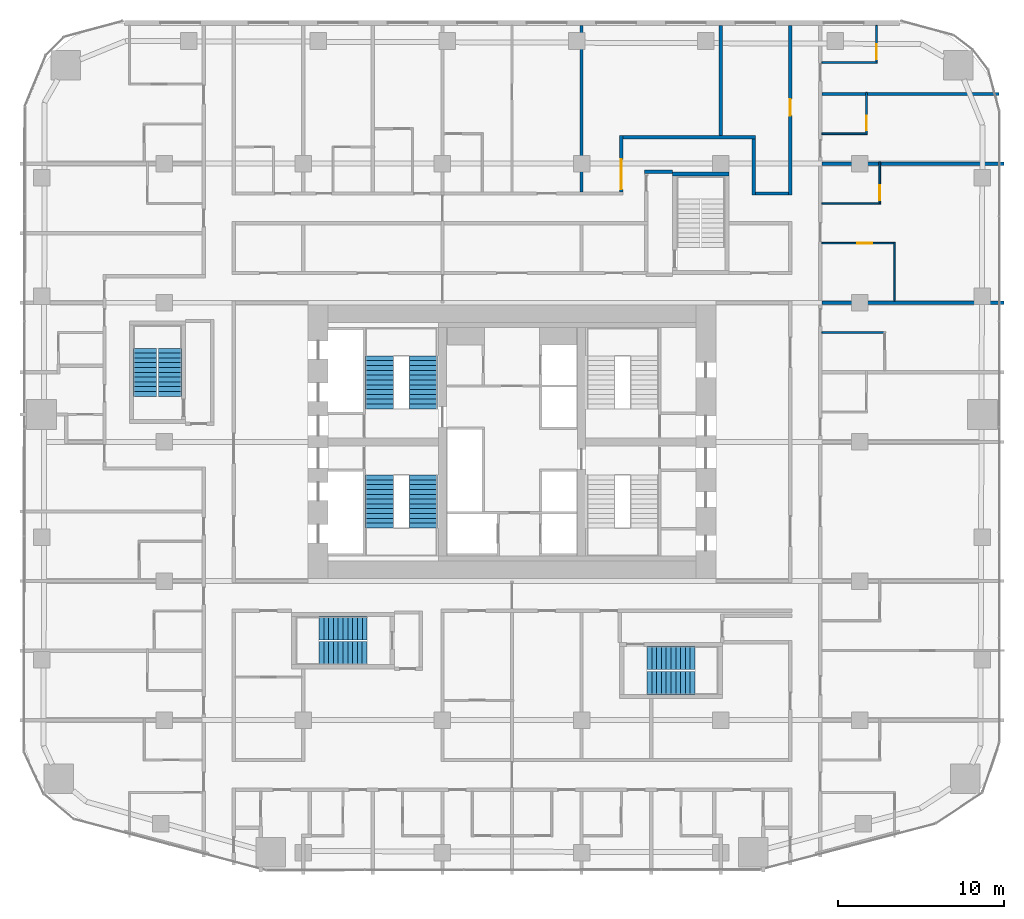
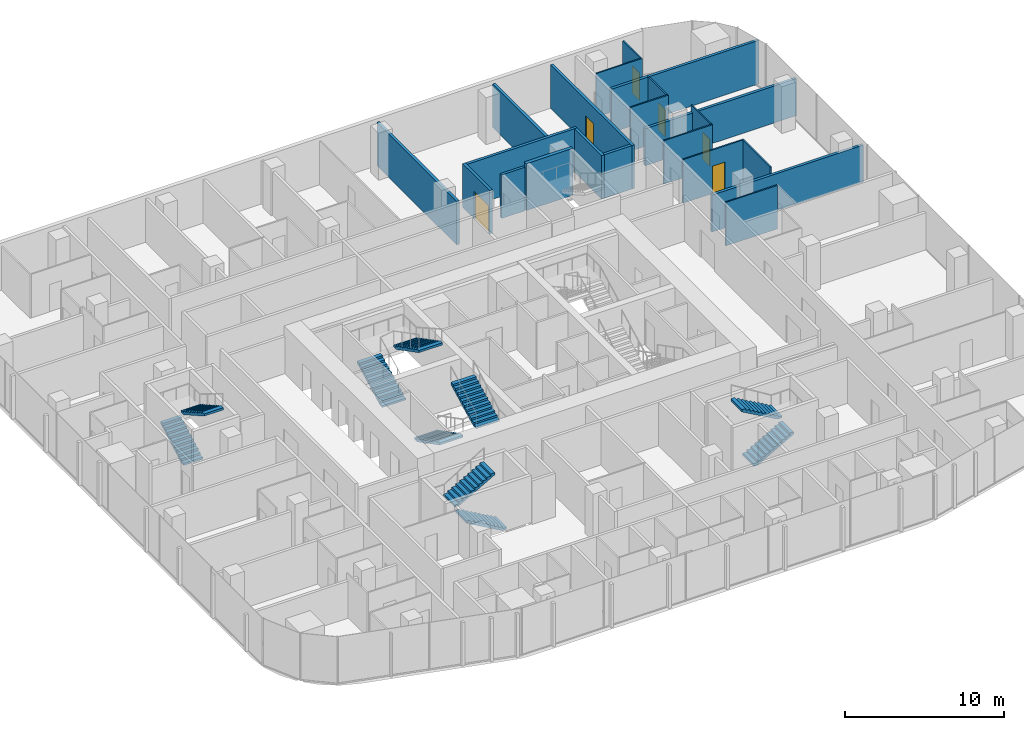
# One storey, part 23 of 26: 21 walls, 10 stair flights, 6 doors, 6 openings, 5 elements without a shape of their own.
"""IFC4 building model written with IfcOpenShell, lengths in metres."""

import ifcopenshell
import ifcopenshell.guid

model = None  # the IFC model being written
_history = None  # IfcOwnerHistory: only IFC2X3 demands one
_inside = {}  # id of a spatial element -> (the spatial element, [elements in it])
_under = {}  # id of a project, library or spatial element -> (it, [spatial elements below it])
_declared = {}  # id of a project -> (the project, [libraries it declares])
_typed = {}  # id of a type object -> (the type object, [elements of that type])
_made_of = {}  # id of a material, layer set ... -> (it, [elements and type objects made of it])


def new_model(schema):
    """Start an empty IFC model of exactly this schema.

    Asked for "IFC4X3", IfcOpenShell would pick the latest addendum, in which some entities
    have other attributes; the version numbers below select the first issue.
    IFC2X3 requires an IfcOwnerHistory on every rooted entity: one is made here for all.
    """
    global model, _history
    if schema == "IFC4X3":
        model = ifcopenshell.file(schema_version=(4, 3, 0, 0))
    else:
        model = ifcopenshell.file(schema=schema)
    _inside.clear()
    _under.clear()
    _declared.clear()
    _typed.clear()
    _made_of.clear()
    _history = None
    if model.schema == "IFC2X3":
        org = make("IfcOrganization", Name="unknown")
        user = make(
            "IfcPersonAndOrganization",
            ThePerson=make("IfcPerson", FamilyName="unknown"),
            TheOrganization=org,
        )
        app = make(
            "IfcApplication",
            ApplicationDeveloper=org,
            Version="unknown",
            ApplicationFullName="unknown",
            ApplicationIdentifier="unknown",
        )
        _history = make(
            "IfcOwnerHistory",
            OwningUser=user,
            OwningApplication=app,
            ChangeAction="ADDED",
            CreationDate=0,
        )
    return model


def make(cls, **values):
    """One entity of the class cls with the attributes given. An attribute that is None is left unset."""
    return model.create_entity(
        cls, **{name: value for name, value in values.items() if value is not None}
    )


def rooted(cls, **values):
    """An entity with a GlobalId (a new one), such as an element, a storey or a relation."""
    return make(cls, GlobalId=ifcopenshell.guid.new(), OwnerHistory=_history, **values)


def si_unit(unit_type, name, prefix=None):
    """IfcSIUnit, for example si_unit("LENGTHUNIT", "METRE", prefix="MILLI")."""
    return make("IfcSIUnit", UnitType=unit_type, Prefix=prefix, Name=name)


def assignment(units):
    """IfcUnitAssignment: the units of a project."""
    return None if units is None else make("IfcUnitAssignment", Units=units)


def point(xyz):
    """IfcCartesianPoint."""
    return None if xyz is None else make("IfcCartesianPoint", Coordinates=xyz)


def direction(xyz):
    """IfcDirection."""
    return None if xyz is None else make("IfcDirection", DirectionRatios=xyz)


def frame(location, z_axis=None, x_axis=None):
    """IfcAxis2Placement3D, a coordinate frame: its origin and axes. An axis left out is left unset."""
    return make(
        "IfcAxis2Placement3D",
        Location=point(location),
        Axis=direction(z_axis),
        RefDirection=direction(x_axis),
    )


def frame_2d(location, x_axis=None):
    """IfcAxis2Placement2D, a coordinate frame in the plane: its origin and x axis."""
    return make(
        "IfcAxis2Placement2D", Location=point(location), RefDirection=direction(x_axis)
    )


def origin():
    """The frame at (0, 0, 0) with its axes left unset."""
    return frame((0.0, 0.0, 0.0))


def place(relative_to, where):
    """IfcLocalPlacement: puts the frame where relative to a parent placement (None: the world)."""
    return make(
        "IfcLocalPlacement", PlacementRelTo=relative_to, RelativePlacement=where
    )


def context(
    kind, dimensions, precision=None, world=None, true_north=None, identifier=None
):
    """IfcGeometricRepresentationContext, for example the 3D "Model" context."""
    return make(
        "IfcGeometricRepresentationContext",
        ContextIdentifier=identifier,
        ContextType=kind,
        CoordinateSpaceDimension=dimensions,
        Precision=precision,
        WorldCoordinateSystem=world,
        TrueNorth=true_north,
    )


def subcontext(parent, identifier, kind, view, scale=None):
    """IfcGeometricRepresentationSubContext, for example "Body" below "Model"."""
    return make(
        "IfcGeometricRepresentationSubContext",
        ContextIdentifier=identifier,
        ContextType=kind,
        ParentContext=parent,
        TargetScale=scale,
        TargetView=view,
    )


def project(units=None, contexts=None):
    """IfcProject with its units and contexts."""
    return rooted(
        "IfcProject",
        Name="project",
        RepresentationContexts=contexts,
        UnitsInContext=assignment(units),
    )


def spatial(cls, under=None, at=None, **own):
    """A site, building, storey or space (cls), placed at a placement, below another one or the project."""
    s = rooted(cls, ObjectPlacement=at, **own)
    if under is not None:
        _under.setdefault(under.id(), (under, []))[1].append(s)
    return s


def polyline(points):
    """IfcPolyline through the points."""
    return make("IfcPolyline", Points=[point(p) for p in points])


def profile(cls, at=None, kind="AREA", **sizes):
    """A parametric profile (cls). Its sizes go by their IFC names, for example OverallWidth=200.0."""
    return make(cls, ProfileType=kind, Position=at, **sizes)


def rectangle(**sizes):
    """IfcRectangleProfileDef."""
    return profile("IfcRectangleProfileDef", **sizes)


def outline(outer, holes=None, kind="AREA"):
    """IfcArbitraryClosedProfileDef: a profile drawn as a closed curve; with holes, ...WithVoids."""
    if holes is None:
        return make("IfcArbitraryClosedProfileDef", ProfileType=kind, OuterCurve=outer)
    return make(
        "IfcArbitraryProfileDefWithVoids",
        ProfileType=kind,
        OuterCurve=outer,
        InnerCurves=holes,
    )


def extrude(swept, where, along, depth):
    """IfcExtrudedAreaSolid: the profile swept, set in the frame where, extruded along a direction by depth."""
    return make(
        "IfcExtrudedAreaSolid",
        SweptArea=swept,
        Position=where,
        ExtrudedDirection=direction(along),
        Depth=depth,
    )


def shape(context_of_items, identifier, shape_type, items):
    """IfcShapeRepresentation: the items that make up one representation, for example the "Body"."""
    return make(
        "IfcShapeRepresentation",
        ContextOfItems=context_of_items,
        RepresentationIdentifier=identifier,
        RepresentationType=shape_type,
        Items=items,
    )


def material(Name=None, Category=None):
    """IfcMaterial."""
    return make("IfcMaterial", Name=Name, Category=Category)


def layer(
    of_material, thickness, ventilated=None, Name=None, Category=None, Priority=None
):
    """IfcMaterialLayer: one layer of a wall or slab, of a material (None: an air gap)."""
    return make(
        "IfcMaterialLayer",
        Material=of_material,
        LayerThickness=thickness,
        IsVentilated=ventilated,
        Name=Name,
        Category=Category,
        Priority=Priority,
    )


def layer_set(layers, Name=None):
    """IfcMaterialLayerSet."""
    return make("IfcMaterialLayerSet", MaterialLayers=layers, LayerSetName=Name)


def made_of(thing, what):
    """Note that an element or type object is made of a material, layer set ...; save() writes the relation."""
    if what is not None:
        _made_of.setdefault(what.id(), (what, []))[1].append(thing)
    return thing


def type_object(cls, material=None, **own):
    """A type object (cls), such as IfcWallType, which elements share."""
    return made_of(rooted(cls, **own), material)


def element(
    cls,
    number,
    at=None,
    inside=None,
    cuts=None,
    type_object=None,
    material=None,
    context=None,
    identifier="Body",
    shape_type=None,
    held_by="IfcProductDefinitionShape",
    body=None,
    shapes=None,
    **own,
):
    """One element of the class cls, such as IfcWall. Its Tag is "e" and its number.

    at: its placement. inside: the storey or other place that contains it. cuts: it is an
    opening in that element (IfcRelVoidsElement). A single representation is given by context,
    identifier, shape_type and body (its items); several are given by shapes. held_by: the class
    of the entity that holds the representations. save() writes the other relations.
    """
    e = rooted(cls, Tag="e%d" % number, ObjectPlacement=at, **own)
    if body is not None:
        shapes = [shape(context, identifier, shape_type, body)]
    if shapes is not None:
        e.Representation = make(held_by, Representations=shapes)
    if inside is not None:
        _inside.setdefault(inside.id(), (inside, []))[1].append(e)
    if cuts is not None:
        rooted(
            "IfcRelVoidsElement", RelatingBuildingElement=cuts, RelatedOpeningElement=e
        )
    if type_object is not None:
        _typed.setdefault(type_object.id(), (type_object, []))[1].append(e)
    return made_of(e, material)


def fill(opening, filler):
    """IfcRelFillsElement: the door or window that sits in an opening."""
    return rooted(
        "IfcRelFillsElement",
        RelatingOpeningElement=opening,
        RelatedBuildingElement=filler,
    )


def aggregate(whole, parts):
    """IfcRelAggregates: a whole, such as a stair, and the parts it consists of."""
    return rooted("IfcRelAggregates", RelatingObject=whole, RelatedObjects=parts)


def save(model, path):
    """Write the relations noted so far, then the file.

    IfcRelAggregates (storeys below a building ...), IfcRelContainedInSpatialStructure (elements
    in a storey), IfcRelDefinesByType, IfcRelAssociatesMaterial and IfcRelDeclares: one each for
    every whole, place, type object, material and project.
    """
    for whole, parts in _under.values():
        aggregate(whole, parts)
    for where, things in _inside.values():
        rooted(
            "IfcRelContainedInSpatialStructure",
            RelatedElements=things,
            RelatingStructure=where,
        )
    for kind, things in _typed.values():
        rooted("IfcRelDefinesByType", RelatedObjects=things, RelatingType=kind)
    for what, things in _made_of.values():
        rooted("IfcRelAssociatesMaterial", RelatedObjects=things, RelatingMaterial=what)
    for by, libraries in _declared.values():
        rooted("IfcRelDeclares", RelatingContext=by, RelatedDefinitions=libraries)
    model.write(path)


model = new_model("IFC4")

# Units and contexts
model_context = context("Model", 3, precision=1e-05, world=origin(), true_north=direction((0.0, 1.0)))
body_context = subcontext(model_context, "Body", "Model", "MODEL_VIEW")
ifc_project = project(units=[si_unit("LENGTHUNIT", "METRE"), si_unit("AREAUNIT", "SQUARE_METRE"), si_unit("VOLUMEUNIT", "CUBIC_METRE"), si_unit("PLANEANGLEUNIT", "RADIAN"), si_unit("MASSUNIT", "GRAM", prefix="KILO")], contexts=[model_context])

# Site, building, storey
site_placement = place(None, origin())
site = spatial("IfcSite", under=ifc_project, at=site_placement, CompositionType="ELEMENT")
building_placement = place(site_placement, origin())
building = spatial("IfcBuilding", under=site, at=building_placement, Name="Marenta Gate Hotel Tower", CompositionType="ELEMENT")
storey_placement = place(building_placement, frame((0.0, 0.0, 43.699951171875)))
storey = spatial("IfcBuildingStorey", under=building, at=storey_placement, Name="L08", CompositionType="ELEMENT", Elevation=43.699951171875)

# Wall
ifc_material_1 = material(Name="Concrete C40", Category="concrete")
ifc_layer_1 = layer(ifc_material_1, 0.25)
ifc_layer_set_1 = layer_set([ifc_layer_1], Name="Concrete C40")
wall_type_1 = type_object("IfcWallType", Name="Remote stair enclosure wall 250 REI 180", PredefinedType="SHEAR", material=ifc_layer_set_1)
wall_1_placement = place(storey_placement, frame((9.699951171875, 24.574951171875, 0.10009765625), z_axis=(0.0, 0.0, 1.0), x_axis=(1.0, 0.0, 0.0)))
element("IfcWall", 1, at=wall_1_placement, inside=storey, type_object=wall_type_1, Name="L08-RS-Z1-4-W2", PredefinedType="SHEAR", context=body_context, shape_type="SweptSolid", body=[
    extrude(rectangle(XDim=3.400146484375, YDim=0.25, at=frame_2d((1.7001953125, 0.0))), origin(), (0.0, 0.0, 1.0), 3.599853515625),
])

# Wall, opening, door
ifc_material_2 = material(Name="Gypsum board on steel stud", Category="steel")
ifc_layer_2 = layer(ifc_material_2, 0.199951171875)
ifc_layer_set_2 = layer_set([ifc_layer_2], Name="Gypsum board on steel stud")
wall_type_2 = type_object("IfcWallType", Name="Room corridor wall 200 EI 60", PredefinedType="PARTITIONING", material=ifc_layer_set_2)
wall_2_placement = place(storey_placement, frame((16.800048828125, 23.300048828125, 0.0), z_axis=(0.0, 0.0, 1.0), x_axis=(0.0, 1.0, 0.0)))
wall_2 = element("IfcWall", 2, at=wall_2_placement, inside=storey, type_object=wall_type_2, Name="L08-PTN-W016", PredefinedType="PARTITIONING", context=body_context, shape_type="SweptSolid", body=[
    extrude(rectangle(XDim=10.239990234375, YDim=0.199951171875, at=frame_2d((5.1201171875, 0.0))), origin(), (0.0, 0.0, 1.0), 3.340087890625),
])
opening_1_placement = place(wall_2_placement, frame((4.800048828125, 0.0, 0.0)))
opening_1 = element("IfcOpeningElement", 3, at=opening_1_placement, cuts=wall_2, Name="Opening G02-73", PredefinedType="OPENING", context=body_context, shape_type="SweptSolid", body=[
    extrude(rectangle(XDim=1.0, YDim=2.10009765625, at=frame_2d((0.5, 1.050048828125))), frame((0.0, 0.10009765625, 0.0), z_axis=(0.0, -1.0, 0.0), x_axis=(1.0, 0.0, 0.0)), (0.0, 0.0, 1.0), 0.199951171875),
])
ifc_material_3 = material(Name="Timber door leaf", Category="wood")
door_type_1 = type_object("IfcDoorType", Name="Room amenity door 1000x2100 EI 30", OperationType="NOTDEFINED", PredefinedType="DOOR", material=ifc_material_3)
door_1_placement = place(opening_1_placement, origin())
door_1 = element("IfcDoor", 4, at=door_1_placement, inside=storey, type_object=door_type_1, Name="L08-PD-D073", OperationType="SINGLE_SWING_LEFT", OverallHeight=2.10009765625, OverallWidth=1.0, PredefinedType="DOOR", context=body_context, shape_type="SweptSolid", body=[
    extrude(rectangle(XDim=1.0, YDim=2.10009765625, at=frame_2d((0.5, 1.050048828125))), frame((0.0, 0.02490234375, 0.0), z_axis=(0.0, -1.0, 0.0), x_axis=(1.0, 0.0, 0.0)), (0.0, 0.0, 1.0), 0.050048828125),
])
fill(opening_1, door_1)

# Wall
wall_3_placement = place(storey_placement, frame((14.60009765625, 23.300048828125, 0.0), z_axis=(0.0, 0.0, 1.0), x_axis=(0.0, 1.0, 0.0)))
element("IfcWall", 5, at=wall_3_placement, inside=storey, type_object=wall_type_2, Name="L08-PTN-W028", PredefinedType="PARTITIONING", context=body_context, shape_type="SweptSolid", body=[
    extrude(rectangle(XDim=3.39990234375, YDim=0.199951171875, at=frame_2d((1.699951171875, 0.0))), origin(), (0.0, 0.0, 1.0), 3.340087890625),
])

# Wall, opening, door
wall_4_placement = place(storey_placement, frame((6.60009765625, 23.5, 0.0), z_axis=(0.0, 0.0, 1.0), x_axis=(0.0, 1.0, 0.0)))
wall_4 = element("IfcWall", 6, at=wall_4_placement, inside=storey, type_object=wall_type_2, Name="L08-PTN-W049", PredefinedType="PARTITIONING", context=body_context, shape_type="SweptSolid", body=[
    extrude(rectangle(XDim=3.39990234375, YDim=0.199951171875, at=frame_2d((1.699951171875, 0.0))), origin(), (0.0, 0.0, 1.0), 3.340087890625),
])
opening_2_placement = place(wall_4_placement, frame((0.14990234375, 0.0, 0.0)))
opening_2 = element("IfcOpeningElement", 7, at=opening_2_placement, cuts=wall_4, Name="Opening G02-39", PredefinedType="OPENING", context=body_context, shape_type="SweptSolid", body=[
    extrude(rectangle(XDim=1.800048828125, YDim=2.10009765625, at=frame_2d((0.89990234375, 1.050048828125))), frame((0.0, 0.10009765625, 0.0), z_axis=(0.0, -1.0, 0.0), x_axis=(1.0, 0.0, 0.0)), (0.0, 0.0, 1.0), 0.199951171875),
])
ifc_material_4 = material(Name="Timber door leaf", Category="wood")
door_type_2 = type_object("IfcDoorType", Name="Room amenity door 1800x2100 EI 30", OperationType="DOUBLE_DOOR_SINGLE_SWING", PredefinedType="DOOR", material=ifc_material_4)
door_2_placement = place(opening_2_placement, origin())
door_2 = element("IfcDoor", 8, at=door_2_placement, inside=storey, type_object=door_type_2, Name="L08-PD-D039", OperationType="DOUBLE_DOOR_SINGLE_SWING", OverallHeight=2.10009765625, OverallWidth=1.800048828125, PredefinedType="DOOR", context=body_context, shape_type="SweptSolid", body=[
    extrude(rectangle(XDim=1.800048828125, YDim=2.10009765625, at=frame_2d((0.89990234375, 1.050048828125))), frame((0.0, 0.02490234375, 0.0), z_axis=(0.0, -1.0, 0.0), x_axis=(1.0, 0.0, 0.0)), (0.0, 0.0, 1.0), 0.050048828125),
])
fill(opening_2, door_2)

# Walls
wall_5_placement = place(storey_placement, frame((14.699951171875, 23.39990234375, 0.0), z_axis=(0.0, 0.0, 1.0), x_axis=(1.0, 0.0, 0.0)))
element("IfcWall", 9, at=wall_5_placement, inside=storey, type_object=wall_type_2, Name="L08-PTN-W138", PredefinedType="PARTITIONING", context=body_context, shape_type="SweptSolid", body=[
    extrude(rectangle(XDim=2.0, YDim=0.199951171875, at=frame_2d((1.0, 0.0))), origin(), (0.0, 0.0, 1.0), 3.340087890625),
])
wall_6_placement = place(storey_placement, frame((6.699951171875, 26.800048828125, 0.0), z_axis=(0.0, 0.0, 1.0), x_axis=(1.0, 0.0, 0.0)))
element("IfcWall", 10, at=wall_6_placement, inside=storey, type_object=wall_type_2, Name="L08-PTN-W145", PredefinedType="PARTITIONING", context=body_context, shape_type="SweptSolid", body=[
    extrude(rectangle(XDim=8.0, YDim=0.199951171875, at=frame_2d((4.0, 0.0))), origin(), (0.0, 0.0, 1.0), 3.340087890625),
])
ifc_material_5 = material(Name="Concrete blockwork", Category="masonry")
ifc_layer_3 = layer(ifc_material_5, 0.199951171875)
ifc_layer_set_3 = layer_set([ifc_layer_3], Name="Concrete blockwork")
wall_type_3 = type_object("IfcWallType", Name="Room corridor wall 200 REI 180", PredefinedType="PARTITIONING", material=ifc_layer_set_3)
wall_7_placement = place(storey_placement, frame((8.0, 24.699951171875, 0.0), z_axis=(0.0, 0.0, 1.0), x_axis=(1.0, 0.0, 0.0)))
element("IfcWall", 11, at=wall_7_placement, inside=storey, type_object=wall_type_3, Name="L08-PTN-W140", PredefinedType="PARTITIONING", context=body_context, shape_type="SweptSolid", body=[
    extrude(rectangle(XDim=1.699951171875, YDim=0.199951171875, at=frame_2d((0.85009765625, 0.0))), origin(), (0.0, 0.0, 1.0), 3.340087890625),
])
ifc_material_6 = material(Name="Gypsum board on steel stud", Category="steel")
ifc_layer_4 = layer(ifc_material_6, 0.10009765625)
ifc_layer_set_4 = layer_set([ifc_layer_4], Name="Gypsum board on steel stud")
wall_type_4 = type_object("IfcWallType", Name="Room partition 100", PredefinedType="PARTITIONING", material=ifc_layer_set_4)
wall_8_placement = place(storey_placement, frame((23.10009765625, 16.89990234375, 0.0), z_axis=(0.0, 0.0, 1.0), x_axis=(0.0, 1.0, 0.0)))
element("IfcWall", 12, at=wall_8_placement, inside=storey, type_object=wall_type_4, Name="L08-PTN-W002", PredefinedType="PARTITIONING", context=body_context, shape_type="SweptSolid", body=[
    extrude(rectangle(XDim=3.550048828125, YDim=0.10009765625, at=frame_2d((1.77490234375, 0.0))), origin(), (0.0, 0.0, 1.0), 3.340087890625),
])

# Wall, opening, door
wall_9_placement = place(storey_placement, frame((22.199951171875, 22.85009765625, 0.0), z_axis=(0.0, 0.0, 1.0), x_axis=(0.0, 1.0, 0.0)))
wall_9 = element("IfcWall", 13, at=wall_9_placement, inside=storey, type_object=wall_type_4, Name="L08-PTN-W006", PredefinedType="PARTITIONING", context=body_context, shape_type="SweptSolid", body=[
    extrude(rectangle(XDim=2.449951171875, YDim=0.10009765625, at=frame_2d((1.22509765625, 0.0))), origin(), (0.0, 0.0, 1.0), 3.340087890625),
])
opening_3_placement = place(wall_9_placement, frame((0.14990234375, 0.0, 0.0)))
opening_3 = element("IfcOpeningElement", 14, at=opening_3_placement, cuts=wall_9, Name="Opening G02-25", PredefinedType="OPENING", context=body_context, shape_type="SweptSolid", body=[
    extrude(rectangle(XDim=0.89990234375, YDim=2.10009765625, at=frame_2d((0.449951171875, 1.050048828125))), frame((0.0, 0.050048828125, 0.0), z_axis=(0.0, -1.0, 0.0), x_axis=(1.0, 0.0, 0.0)), (0.0, 0.0, 1.0), 0.10009765625),
])
ifc_material_7 = material(Name="Timber door leaf", Category="wood")
door_type_3 = type_object("IfcDoorType", Name="Room inner door 900x2100", OperationType="NOTDEFINED", PredefinedType="DOOR", material=ifc_material_7)
door_3_placement = place(opening_3_placement, origin())
door_3 = element("IfcDoor", 15, at=door_3_placement, inside=storey, type_object=door_type_3, Name="L08-PD-D025", OperationType="SINGLE_SWING_LEFT", OverallHeight=2.10009765625, OverallWidth=0.89990234375, PredefinedType="DOOR", context=body_context, shape_type="SweptSolid", body=[
    extrude(rectangle(XDim=0.89990234375, YDim=2.10009765625, at=frame_2d((0.449951171875, 1.050048828125))), frame((0.0, 0.02490234375, 0.0), z_axis=(0.0, -1.0, 0.0), x_axis=(1.0, 0.0, 0.0)), (0.0, 0.0, 1.0), 0.050048828125),
])
fill(opening_3, door_3)

wall_10_placement = place(storey_placement, frame((22.0, 31.35009765625, 0.0), z_axis=(0.0, 0.0, 1.0), x_axis=(0.0, 1.0, 0.0)))
wall_10 = element("IfcWall", 16, at=wall_10_placement, inside=storey, type_object=wall_type_4, Name="L08-PTN-W007", PredefinedType="PARTITIONING", context=body_context, shape_type="SweptSolid", body=[
    extrude(rectangle(XDim=2.18994140625, YDim=0.10009765625, at=frame_2d((1.094970703125, 0.0))), origin(), (0.0, 0.0, 1.0), 3.340087890625),
])
opening_4_placement = place(wall_10_placement, frame((0.14990234375, 0.0, 0.0)))
opening_4 = element("IfcOpeningElement", 17, at=opening_4_placement, cuts=wall_10, Name="Opening G02-29", PredefinedType="OPENING", context=body_context, shape_type="SweptSolid", body=[
    extrude(rectangle(XDim=0.89990234375, YDim=2.10009765625, at=frame_2d((0.449951171875, 1.050048828125))), frame((0.0, 0.050048828125, 0.0), z_axis=(0.0, -1.0, 0.0), x_axis=(1.0, 0.0, 0.0)), (0.0, 0.0, 1.0), 0.10009765625),
])
ifc_material_8 = material(Name="Timber door leaf", Category="wood")
door_type_4 = type_object("IfcDoorType", Name="Guest bathroom door 900x2100", OperationType="NOTDEFINED", PredefinedType="DOOR", material=ifc_material_8)
door_4_placement = place(opening_4_placement, origin())
door_4 = element("IfcDoor", 18, at=door_4_placement, inside=storey, type_object=door_type_4, Name="L08-PD-D029", OperationType="SINGLE_SWING_LEFT", OverallHeight=2.10009765625, OverallWidth=0.89990234375, PredefinedType="DOOR", context=body_context, shape_type="SweptSolid", body=[
    extrude(rectangle(XDim=0.89990234375, YDim=2.10009765625, at=frame_2d((0.449951171875, 1.050048828125))), frame((0.0, 0.02490234375, 0.0), z_axis=(0.0, -1.0, 0.0), x_axis=(1.0, 0.0, 0.0)), (0.0, 0.0, 1.0), 0.050048828125),
])
fill(opening_4, door_4)

wall_11_placement = place(storey_placement, frame((21.39990234375, 27.050048828125, 0.0), z_axis=(0.0, 0.0, 1.0), x_axis=(0.0, 1.0, 0.0)))
wall_11 = element("IfcWall", 19, at=wall_11_placement, inside=storey, type_object=wall_type_4, Name="L08-PTN-W009", PredefinedType="PARTITIONING", context=body_context, shape_type="SweptSolid", body=[
    extrude(rectangle(XDim=2.449951171875, YDim=0.10009765625, at=frame_2d((1.22509765625, 0.0))), origin(), (0.0, 0.0, 1.0), 3.340087890625),
])
opening_5_placement = place(wall_11_placement, frame((0.14990234375, 0.0, 0.0)))
opening_5 = element("IfcOpeningElement", 20, at=opening_5_placement, cuts=wall_11, Name="Opening G02-27", PredefinedType="OPENING", context=body_context, shape_type="SweptSolid", body=[
    extrude(rectangle(XDim=0.89990234375, YDim=2.10009765625, at=frame_2d((0.449951171875, 1.050048828125))), frame((0.0, 0.050048828125, 0.0), z_axis=(0.0, -1.0, 0.0), x_axis=(1.0, 0.0, 0.0)), (0.0, 0.0, 1.0), 0.10009765625),
])
door_5_placement = place(opening_5_placement, origin())
door_5 = element("IfcDoor", 21, at=door_5_placement, inside=storey, type_object=door_type_4, Name="L08-PD-D027", OperationType="SINGLE_SWING_LEFT", OverallHeight=2.10009765625, OverallWidth=0.89990234375, PredefinedType="DOOR", context=body_context, shape_type="SweptSolid", body=[
    extrude(rectangle(XDim=0.89990234375, YDim=2.10009765625, at=frame_2d((0.449951171875, 1.050048828125))), frame((0.0, 0.02490234375, 0.0), z_axis=(0.0, -1.0, 0.0), x_axis=(1.0, 0.0, 0.0)), (0.0, 0.0, 1.0), 0.050048828125),
])
fill(opening_5, door_5)

# Wall
wall_12_placement = place(storey_placement, frame((18.699951171875, 15.0, 0.0), z_axis=(0.0, 0.0, 1.0), x_axis=(1.0, 0.0, 0.0)))
element("IfcWall", 22, at=wall_12_placement, inside=storey, type_object=wall_type_4, Name="L08-PTN-W106", PredefinedType="PARTITIONING", context=body_context, shape_type="SweptSolid", body=[
    extrude(rectangle(XDim=3.75, YDim=0.10009765625, at=frame_2d((1.875, 0.0))), origin(), (0.0, 0.0, 1.0), 3.340087890625),
])

# Wall, opening, door
wall_13_placement = place(storey_placement, frame((18.699951171875, 20.39990234375, 0.0), z_axis=(0.0, 0.0, 1.0), x_axis=(1.0, 0.0, 0.0)))
wall_13 = element("IfcWall", 23, at=wall_13_placement, inside=storey, type_object=wall_type_4, Name="L08-PTN-W123", PredefinedType="PARTITIONING", context=body_context, shape_type="SweptSolid", body=[
    extrude(rectangle(XDim=4.35009765625, YDim=0.10009765625, at=frame_2d((2.175048828125, 0.0))), origin(), (0.0, 0.0, 1.0), 3.340087890625),
])
opening_6_placement = place(wall_13_placement, frame((2.14990234375, 0.0, 0.0)))
opening_6 = element("IfcOpeningElement", 24, at=opening_6_placement, cuts=wall_13, Name="Opening G02-24", PredefinedType="OPENING", context=body_context, shape_type="SweptSolid", body=[
    extrude(rectangle(XDim=0.89990234375, YDim=2.10009765625, at=frame_2d((0.449951171875, 1.050048828125))), frame((0.0, 0.050048828125, 0.0), z_axis=(0.0, -1.0, 0.0), x_axis=(1.0, 0.0, 0.0)), (0.0, 0.0, 1.0), 0.10009765625),
])
door_6_placement = place(opening_6_placement, origin())
door_6 = element("IfcDoor", 25, at=door_6_placement, inside=storey, type_object=door_type_4, Name="L08-PD-D024", OperationType="SINGLE_SWING_LEFT", OverallHeight=2.10009765625, OverallWidth=0.89990234375, PredefinedType="DOOR", context=body_context, shape_type="SweptSolid", body=[
    extrude(rectangle(XDim=0.89990234375, YDim=2.10009765625, at=frame_2d((0.449951171875, 1.050048828125))), frame((0.0, 0.02490234375, 0.0), z_axis=(0.0, -1.0, 0.0), x_axis=(1.0, 0.0, 0.0)), (0.0, 0.0, 1.0), 0.050048828125),
])
fill(opening_6, door_6)

# Walls
wall_14_placement = place(storey_placement, frame((18.699951171875, 22.800048828125, 0.0), z_axis=(0.0, 0.0, 1.0), x_axis=(1.0, 0.0, 0.0)))
element("IfcWall", 26, at=wall_14_placement, inside=storey, type_object=wall_type_4, Name="L08-PTN-W134", PredefinedType="PARTITIONING", context=body_context, shape_type="SweptSolid", body=[
    extrude(rectangle(XDim=3.550048828125, YDim=0.10009765625, at=frame_2d((1.77490234375, 0.0))), origin(), (0.0, 0.0, 1.0), 3.340087890625),
])
wall_15_placement = place(storey_placement, frame((18.699951171875, 27.0, 0.0), z_axis=(0.0, 0.0, 1.0), x_axis=(1.0, 0.0, 0.0)))
element("IfcWall", 27, at=wall_15_placement, inside=storey, type_object=wall_type_4, Name="L08-PTN-W148", PredefinedType="PARTITIONING", context=body_context, shape_type="SweptSolid", body=[
    extrude(rectangle(XDim=2.75, YDim=0.10009765625, at=frame_2d((1.375, 0.0))), origin(), (0.0, 0.0, 1.0), 3.340087890625),
])
wall_16_placement = place(storey_placement, frame((18.699951171875, 31.300048828125, 0.0), z_axis=(0.0, 0.0, 1.0), x_axis=(1.0, 0.0, 0.0)))
element("IfcWall", 28, at=wall_16_placement, inside=storey, type_object=wall_type_4, Name="L08-PTN-W155", PredefinedType="PARTITIONING", context=body_context, shape_type="SweptSolid", body=[
    extrude(rectangle(XDim=3.35009765625, YDim=0.10009765625, at=frame_2d((1.675048828125, 0.0))), origin(), (0.0, 0.0, 1.0), 3.340087890625),
])
ifc_material_9 = material(Name="Gypsum board on steel stud", Category="steel")
ifc_layer_5 = layer(ifc_material_9, 0.199951171875)
ifc_layer_set_5 = layer_set([ifc_layer_5], Name="Gypsum board on steel stud")
wall_type_5 = type_object("IfcWallType", Name="Room party wall 200 EI 60", PredefinedType="PARTITIONING", material=ifc_layer_set_5)
wall_17_placement = place(storey_placement, frame((12.60009765625, 26.89990234375, 0.0), z_axis=(0.0, 0.0, 1.0), x_axis=(0.0, 1.0, 0.0)))
element("IfcWall", 29, at=wall_17_placement, inside=storey, type_object=wall_type_5, Name="L08-PTN-W033", PredefinedType="PARTITIONING", context=body_context, shape_type="SweptSolid", body=[
    extrude(rectangle(XDim=6.64013671875, YDim=0.199951171875, at=frame_2d((3.320068359375, 0.0))), origin(), (0.0, 0.0, 1.0), 3.340087890625),
])
wall_18_placement = place(storey_placement, frame((4.199951171875, 23.5, 0.0), z_axis=(0.0, 0.0, 1.0), x_axis=(0.0, 1.0, 0.0)))
element("IfcWall", 30, at=wall_18_placement, inside=storey, type_object=wall_type_5, Name="L08-PTN-W057", PredefinedType="PARTITIONING", context=body_context, shape_type="SweptSolid", body=[
    extrude(rectangle(XDim=10.0400390625, YDim=0.199951171875, at=frame_2d((5.02001953125, 0.0))), origin(), (0.0, 0.0, 1.0), 3.340087890625),
])
for number, where, z_axis, x_axis, name in (
    (31, (18.699951171875, 16.800048828125, 0.0), (0.0, 0.0, 1.0), (1.0, 0.0, 0.0), "L08-PTN-W115"),
    (32, (18.699951171875, 25.199951171875, 0.0), (0.0, 0.0, 1.0), (1.0, 0.0, 0.0), "L08-PTN-W142"),
):
    element("IfcWall", number, at=place(storey_placement, frame(where, z_axis=z_axis, x_axis=x_axis)), inside=storey, type_object=wall_type_5, Name=name, PredefinedType="PARTITIONING", context=body_context, shape_type="SweptSolid", body=[
        extrude(rectangle(XDim=11.0, YDim=0.199951171875, at=frame_2d((5.5, 0.0))), origin(), (0.0, 0.0, 1.0), 2.840087890625),
    ])
wall_19_placement = place(storey_placement, frame((18.699951171875, 29.39990234375, 0.0), z_axis=(0.0, 0.0, 1.0), x_axis=(1.0, 0.0, 0.0)))
element("IfcWall", 33, at=wall_19_placement, inside=storey, type_object=wall_type_5, Name="L08-PTN-W153", PredefinedType="PARTITIONING", context=body_context, shape_type="SweptSolid", body=[
    extrude(rectangle(XDim=10.693115234375, YDim=0.199951171875, at=frame_2d((5.3466796875, 0.0))), origin(), (0.0, 0.0, 1.0), 3.340087890625),
])

# Stair, stair flights
ifc_material_10 = material(Name="Concrete C40", Category="concrete")
stair_type_1 = type_object("IfcStairType", Name="Core exit stair 1700 wide", PredefinedType="HALF_TURN_STAIR", material=ifc_material_10)
stair_1_placement = place(storey_placement, origin())
stair_1 = element("IfcStair", 34, at=stair_1_placement, inside=storey, type_object=stair_type_1, Name="Exit stair 1", PredefinedType="HALF_TURN_STAIR")
ifc_material_11 = material(Name="Concrete C40", Category="concrete")
stair_flight_type_1 = type_object("IfcStairFlightType", Name="Core stair flight 1700 riser 150.0 going 290", PredefinedType="STRAIGHT", material=ifc_material_11)
stair_flight_1_placement = place(storey_placement, frame((-8.0, 6.39990234375, 0.0), z_axis=(0.0, 0.0, 1.0), x_axis=(0.0, -1.0, 0.0)))
stair_flight_1 = element("IfcStairFlight", 35, at=stair_flight_1_placement, type_object=stair_flight_type_1, Name="ST1 flight 1", NumberOfRisers=12, NumberOfTreads=11, PredefinedType="STRAIGHT", RiserHeight=0.15, TreadLength=0.29, context=body_context, shape_type="SweptSolid", body=[
    extrude(outline(polyline([(0.0, 0.0), (0.0, 0.14990234375), (0.2900390625, 0.14990234375), (0.2900390625, 0.300048828125), (0.580078125, 0.300048828125), (0.580078125, 0.449951171875), (0.8701171875, 0.449951171875), (0.8701171875, 0.60009765625), (1.159912109375, 0.60009765625), (1.159912109375, 0.75), (1.449951171875, 0.75), (1.449951171875, 0.89990234375), (1.739990234375, 0.89990234375), (1.739990234375, 1.050048828125), (2.030029296875, 1.050048828125), (2.030029296875, 1.199951171875), (2.320068359375, 1.199951171875), (2.320068359375, 1.35009765625), (2.610107421875, 1.35009765625), (2.610107421875, 1.5), (2.89990234375, 1.5), (2.89990234375, 1.64990234375), (3.18994140625, 1.64990234375), (3.18994140625, 1.800048828125), (3.18994140625, 1.481201171875), (0.326171875, 0.0), (0.0, 0.0)])), frame((0.0, 0.85009765625, 0.0), z_axis=(0.0, -1.0, 0.0), x_axis=(1.0, 0.0, 0.0)), (0.0, 0.0, 1.0), 1.699951171875),
])
stair_flight_2_placement = place(storey_placement, frame((-5.35009765625, 3.2099609375, 1.800048828125), z_axis=(0.0, 0.0, 1.0), x_axis=(0.0, 1.0, 0.0)))
stair_flight_2 = element("IfcStairFlight", 36, at=stair_flight_2_placement, type_object=stair_flight_type_1, Name="ST1 flight 2", NumberOfRisers=12, NumberOfTreads=11, PredefinedType="STRAIGHT", RiserHeight=0.15, TreadLength=0.29, context=body_context, shape_type="SweptSolid", body=[
    extrude(outline(polyline([(0.0, 0.0), (0.0, 0.14990234375), (0.2900390625, 0.14990234375), (0.2900390625, 0.300048828125), (0.580078125, 0.300048828125), (0.580078125, 0.449951171875), (0.8701171875, 0.449951171875), (0.8701171875, 0.60009765625), (1.159912109375, 0.60009765625), (1.159912109375, 0.75), (1.449951171875, 0.75), (1.449951171875, 0.89990234375), (1.739990234375, 0.89990234375), (1.739990234375, 1.050048828125), (2.030029296875, 1.050048828125), (2.030029296875, 1.199951171875), (2.320068359375, 1.199951171875), (2.320068359375, 1.35009765625), (2.610107421875, 1.35009765625), (2.610107421875, 1.5), (2.89990234375, 1.5), (2.89990234375, 1.64990234375), (3.18994140625, 1.64990234375), (3.18994140625, 1.800048828125), (3.18994140625, 1.481201171875), (0.326171875, 0.0), (0.0, 0.0)])), frame((0.0, 0.85009765625, 0.0), z_axis=(0.0, -1.0, 0.0), x_axis=(1.0, 0.0, 0.0)), (0.0, 0.0, 1.0), 1.699951171875),
])
aggregate(stair_1, [stair_flight_1, stair_flight_2])

stair_2_placement = place(storey_placement, origin())
stair_2 = element("IfcStair", 37, at=stair_2_placement, inside=storey, type_object=stair_type_1, Name="Exit stair 2", PredefinedType="HALF_TURN_STAIR")
stair_flight_3_placement = place(storey_placement, frame((-8.0, 10.39990234375, 0.0), z_axis=(0.0, 0.0, 1.0), x_axis=(0.0, 1.0, 0.0)))
stair_flight_3 = element("IfcStairFlight", 38, at=stair_flight_3_placement, type_object=stair_flight_type_1, Name="ST2 flight 1", NumberOfRisers=12, NumberOfTreads=11, PredefinedType="STRAIGHT", RiserHeight=0.15, TreadLength=0.29, context=body_context, shape_type="SweptSolid", body=[
    extrude(outline(polyline([(0.0, 0.0), (0.0, 0.14990234375), (0.2900390625, 0.14990234375), (0.2900390625, 0.300048828125), (0.580078125, 0.300048828125), (0.580078125, 0.449951171875), (0.8701171875, 0.449951171875), (0.8701171875, 0.60009765625), (1.159912109375, 0.60009765625), (1.159912109375, 0.75), (1.449951171875, 0.75), (1.449951171875, 0.89990234375), (1.739990234375, 0.89990234375), (1.739990234375, 1.050048828125), (2.030029296875, 1.050048828125), (2.030029296875, 1.199951171875), (2.320068359375, 1.199951171875), (2.320068359375, 1.35009765625), (2.610107421875, 1.35009765625), (2.610107421875, 1.5), (2.89990234375, 1.5), (2.89990234375, 1.64990234375), (3.18994140625, 1.64990234375), (3.18994140625, 1.800048828125), (3.18994140625, 1.481201171875), (0.326171875, 0.0), (0.0, 0.0)])), frame((0.0, 0.85009765625, 0.0), z_axis=(0.0, -1.0, 0.0), x_axis=(1.0, 0.0, 0.0)), (0.0, 0.0, 1.0), 1.699951171875),
])
stair_flight_4_placement = place(storey_placement, frame((-5.35009765625, 13.590087890625, 1.800048828125), z_axis=(0.0, 0.0, 1.0), x_axis=(0.0, -1.0, 0.0)))
stair_flight_4 = element("IfcStairFlight", 39, at=stair_flight_4_placement, type_object=stair_flight_type_1, Name="ST2 flight 2", NumberOfRisers=12, NumberOfTreads=11, PredefinedType="STRAIGHT", RiserHeight=0.15, TreadLength=0.29, context=body_context, shape_type="SweptSolid", body=[
    extrude(outline(polyline([(0.0, 0.0), (0.0, 0.14990234375), (0.2900390625, 0.14990234375), (0.2900390625, 0.300048828125), (0.580078125, 0.300048828125), (0.580078125, 0.449951171875), (0.8701171875, 0.449951171875), (0.8701171875, 0.60009765625), (1.159912109375, 0.60009765625), (1.159912109375, 0.75), (1.449951171875, 0.75), (1.449951171875, 0.89990234375), (1.739990234375, 0.89990234375), (1.739990234375, 1.050048828125), (2.030029296875, 1.050048828125), (2.030029296875, 1.199951171875), (2.320068359375, 1.199951171875), (2.320068359375, 1.35009765625), (2.610107421875, 1.35009765625), (2.610107421875, 1.5), (2.89990234375, 1.5), (2.89990234375, 1.64990234375), (3.18994140625, 1.64990234375), (3.18994140625, 1.800048828125), (3.18994140625, 1.481201171875), (0.326171875, 0.0), (0.0, 0.0)])), frame((0.0, 0.85009765625, 0.0), z_axis=(0.0, -1.0, 0.0), x_axis=(1.0, 0.0, 0.0)), (0.0, 0.0, 1.0), 1.699951171875),
])
aggregate(stair_2, [stair_flight_3, stair_flight_4])

ifc_material_12 = material(Name="Concrete C40", Category="concrete")
stair_type_2 = type_object("IfcStairType", Name="Remote exit stair 1400 wide", PredefinedType="HALF_TURN_STAIR", material=ifc_material_12)
stair_3_placement = place(storey_placement, origin())
stair_3 = element("IfcStair", 40, at=stair_3_placement, inside=storey, type_object=stair_type_2, Name="Exit stair RS-Z1-1", PredefinedType="HALF_TURN_STAIR")
ifc_material_13 = material(Name="Concrete C40", Category="concrete")
stair_flight_type_2 = type_object("IfcStairFlightType", Name="Remote stair flight 1400 riser 163.6 going 290", PredefinedType="STRAIGHT", material=ifc_material_13)
stair_flight_5_placement = place(storey_placement, frame((8.14990234375, -6.14990234375, 0.0), z_axis=(0.0, 0.0, 1.0), x_axis=(1.0, 0.0, 0.0)))
stair_flight_5 = element("IfcStairFlight", 41, at=stair_flight_5_placement, type_object=stair_flight_type_2, Name="RS-Z1-1 flight 1", NumberOfRisers=11, NumberOfTreads=10, PredefinedType="STRAIGHT", RiserHeight=0.163636, TreadLength=0.29, context=body_context, shape_type="SweptSolid", body=[
    extrude(outline(polyline([(0.0, 0.0), (0.0, 0.16357421875), (0.2900390625, 0.16357421875), (0.2900390625, 0.327392578125), (0.580078125, 0.327392578125), (0.580078125, 0.490966796875), (0.8701171875, 0.490966796875), (0.8701171875, 0.654541015625), (1.159912109375, 0.654541015625), (1.159912109375, 0.818115234375), (1.449951171875, 0.818115234375), (1.449951171875, 0.98193359375), (1.739990234375, 0.98193359375), (1.739990234375, 1.1455078125), (2.030029296875, 1.1455078125), (2.030029296875, 1.30908203125), (2.320068359375, 1.30908203125), (2.320068359375, 1.47265625), (2.610107421875, 1.47265625), (2.610107421875, 1.636474609375), (2.89990234375, 1.636474609375), (2.89990234375, 1.800048828125), (2.89990234375, 1.46435546875), (0.304931640625, 0.0), (0.0, 0.0)])), frame((0.0, 0.699951171875, 0.0), z_axis=(0.0, -1.0, 0.0), x_axis=(1.0, 0.0, 0.0)), (0.0, 0.0, 1.0), 1.39990234375),
])
stair_flight_6_placement = place(storey_placement, frame((11.050048828125, -4.64990234375, 1.800048828125), z_axis=(0.0, 0.0, 1.0), x_axis=(-1.0, 0.0, 0.0)))
stair_flight_6 = element("IfcStairFlight", 42, at=stair_flight_6_placement, type_object=stair_flight_type_2, Name="RS-Z1-1 flight 2", NumberOfRisers=11, NumberOfTreads=10, PredefinedType="STRAIGHT", RiserHeight=0.163636, TreadLength=0.29, context=body_context, shape_type="SweptSolid", body=[
    extrude(outline(polyline([(0.0, 0.0), (0.0, 0.16357421875), (0.2900390625, 0.16357421875), (0.2900390625, 0.327392578125), (0.580078125, 0.327392578125), (0.580078125, 0.490966796875), (0.8701171875, 0.490966796875), (0.8701171875, 0.654541015625), (1.159912109375, 0.654541015625), (1.159912109375, 0.818115234375), (1.449951171875, 0.818115234375), (1.449951171875, 0.98193359375), (1.739990234375, 0.98193359375), (1.739990234375, 1.1455078125), (2.030029296875, 1.1455078125), (2.030029296875, 1.30908203125), (2.320068359375, 1.30908203125), (2.320068359375, 1.47265625), (2.610107421875, 1.47265625), (2.610107421875, 1.636474609375), (2.89990234375, 1.636474609375), (2.89990234375, 1.800048828125), (2.89990234375, 1.46435546875), (0.304931640625, 0.0), (0.0, 0.0)])), frame((0.0, 0.699951171875, 0.0), z_axis=(0.0, -1.0, 0.0), x_axis=(1.0, 0.0, 0.0)), (0.0, 0.0, 1.0), 1.39990234375),
])
aggregate(stair_3, [stair_flight_5, stair_flight_6])

stair_4_placement = place(storey_placement, origin())
stair_4 = element("IfcStair", 43, at=stair_4_placement, inside=storey, type_object=stair_type_2, Name="Exit stair RS-Z1-2", PredefinedType="HALF_TURN_STAIR")
stair_flight_7_placement = place(storey_placement, frame((-8.75, -4.35009765625, 0.0), z_axis=(0.0, 0.0, 1.0), x_axis=(-1.0, 0.0, 0.0)))
stair_flight_7 = element("IfcStairFlight", 44, at=stair_flight_7_placement, type_object=stair_flight_type_2, Name="RS-Z1-2 flight 1", NumberOfRisers=11, NumberOfTreads=10, PredefinedType="STRAIGHT", RiserHeight=0.163636, TreadLength=0.29, context=body_context, shape_type="SweptSolid", body=[
    extrude(outline(polyline([(0.0, 0.0), (0.0, 0.16357421875), (0.2900390625, 0.16357421875), (0.2900390625, 0.327392578125), (0.580078125, 0.327392578125), (0.580078125, 0.490966796875), (0.8701171875, 0.490966796875), (0.8701171875, 0.654541015625), (1.159912109375, 0.654541015625), (1.159912109375, 0.818115234375), (1.449951171875, 0.818115234375), (1.449951171875, 0.98193359375), (1.739990234375, 0.98193359375), (1.739990234375, 1.1455078125), (2.030029296875, 1.1455078125), (2.030029296875, 1.30908203125), (2.320068359375, 1.30908203125), (2.320068359375, 1.47265625), (2.610107421875, 1.47265625), (2.610107421875, 1.636474609375), (2.89990234375, 1.636474609375), (2.89990234375, 1.800048828125), (2.89990234375, 1.46435546875), (0.304931640625, 0.0), (0.0, 0.0)])), frame((0.0, 0.699951171875, 0.0), z_axis=(0.0, -1.0, 0.0), x_axis=(1.0, 0.0, 0.0)), (0.0, 0.0, 1.0), 1.39990234375),
])
stair_flight_8_placement = place(storey_placement, frame((-11.64990234375, -2.85009765625, 1.800048828125), z_axis=(0.0, 0.0, 1.0), x_axis=(1.0, 0.0, 0.0)))
stair_flight_8 = element("IfcStairFlight", 45, at=stair_flight_8_placement, type_object=stair_flight_type_2, Name="RS-Z1-2 flight 2", NumberOfRisers=11, NumberOfTreads=10, PredefinedType="STRAIGHT", RiserHeight=0.163636, TreadLength=0.29, context=body_context, shape_type="SweptSolid", body=[
    extrude(outline(polyline([(0.0, 0.0), (0.0, 0.16357421875), (0.2900390625, 0.16357421875), (0.2900390625, 0.327392578125), (0.580078125, 0.327392578125), (0.580078125, 0.490966796875), (0.8701171875, 0.490966796875), (0.8701171875, 0.654541015625), (1.159912109375, 0.654541015625), (1.159912109375, 0.818115234375), (1.449951171875, 0.818115234375), (1.449951171875, 0.98193359375), (1.739990234375, 0.98193359375), (1.739990234375, 1.1455078125), (2.030029296875, 1.1455078125), (2.030029296875, 1.30908203125), (2.320068359375, 1.30908203125), (2.320068359375, 1.47265625), (2.610107421875, 1.47265625), (2.610107421875, 1.636474609375), (2.89990234375, 1.636474609375), (2.89990234375, 1.800048828125), (2.89990234375, 1.46435546875), (0.304931640625, 0.0), (0.0, 0.0)])), frame((0.0, 0.699951171875, 0.0), z_axis=(0.0, -1.0, 0.0), x_axis=(1.0, 0.0, 0.0)), (0.0, 0.0, 1.0), 1.39990234375),
])
aggregate(stair_4, [stair_flight_7, stair_flight_8])

stair_5_placement = place(storey_placement, origin())
stair_5 = element("IfcStair", 46, at=stair_5_placement, inside=storey, type_object=stair_type_2, Name="Exit stair RS-Z1-3", PredefinedType="HALF_TURN_STAIR")
stair_flight_9_placement = place(storey_placement, frame((-22.14990234375, 11.14990234375, 0.0), z_axis=(0.0, 0.0, 1.0), x_axis=(0.0, 1.0, 0.0)))
stair_flight_9 = element("IfcStairFlight", 47, at=stair_flight_9_placement, type_object=stair_flight_type_2, Name="RS-Z1-3 flight 1", NumberOfRisers=11, NumberOfTreads=10, PredefinedType="STRAIGHT", RiserHeight=0.163636, TreadLength=0.29, context=body_context, shape_type="SweptSolid", body=[
    extrude(outline(polyline([(0.0, 0.0), (0.0, 0.16357421875), (0.2900390625, 0.16357421875), (0.2900390625, 0.327392578125), (0.580078125, 0.327392578125), (0.580078125, 0.490966796875), (0.8701171875, 0.490966796875), (0.8701171875, 0.654541015625), (1.159912109375, 0.654541015625), (1.159912109375, 0.818115234375), (1.449951171875, 0.818115234375), (1.449951171875, 0.98193359375), (1.739990234375, 0.98193359375), (1.739990234375, 1.1455078125), (2.030029296875, 1.1455078125), (2.030029296875, 1.30908203125), (2.320068359375, 1.30908203125), (2.320068359375, 1.47265625), (2.610107421875, 1.47265625), (2.610107421875, 1.636474609375), (2.89990234375, 1.636474609375), (2.89990234375, 1.800048828125), (2.89990234375, 1.46435546875), (0.304931640625, 0.0), (0.0, 0.0)])), frame((0.0, 0.699951171875, 0.0), z_axis=(0.0, -1.0, 0.0), x_axis=(1.0, 0.0, 0.0)), (0.0, 0.0, 1.0), 1.39990234375),
])
stair_flight_10_placement = place(storey_placement, frame((-20.64990234375, 14.050048828125, 1.800048828125), z_axis=(0.0, 0.0, 1.0), x_axis=(0.0, -1.0, 0.0)))
stair_flight_10 = element("IfcStairFlight", 48, at=stair_flight_10_placement, type_object=stair_flight_type_2, Name="RS-Z1-3 flight 2", NumberOfRisers=11, NumberOfTreads=10, PredefinedType="STRAIGHT", RiserHeight=0.163636, TreadLength=0.29, context=body_context, shape_type="SweptSolid", body=[
    extrude(outline(polyline([(0.0, 0.0), (0.0, 0.16357421875), (0.2900390625, 0.16357421875), (0.2900390625, 0.327392578125), (0.580078125, 0.327392578125), (0.580078125, 0.490966796875), (0.8701171875, 0.490966796875), (0.8701171875, 0.654541015625), (1.159912109375, 0.654541015625), (1.159912109375, 0.818115234375), (1.449951171875, 0.818115234375), (1.449951171875, 0.98193359375), (1.739990234375, 0.98193359375), (1.739990234375, 1.1455078125), (2.030029296875, 1.1455078125), (2.030029296875, 1.30908203125), (2.320068359375, 1.30908203125), (2.320068359375, 1.47265625), (2.610107421875, 1.47265625), (2.610107421875, 1.636474609375), (2.89990234375, 1.636474609375), (2.89990234375, 1.800048828125), (2.89990234375, 1.46435546875), (0.304931640625, 0.0), (0.0, 0.0)])), frame((0.0, 0.699951171875, 0.0), z_axis=(0.0, -1.0, 0.0), x_axis=(1.0, 0.0, 0.0)), (0.0, 0.0, 1.0), 1.39990234375),
])
aggregate(stair_5, [stair_flight_9, stair_flight_10])

save(model, "model.ifc")
